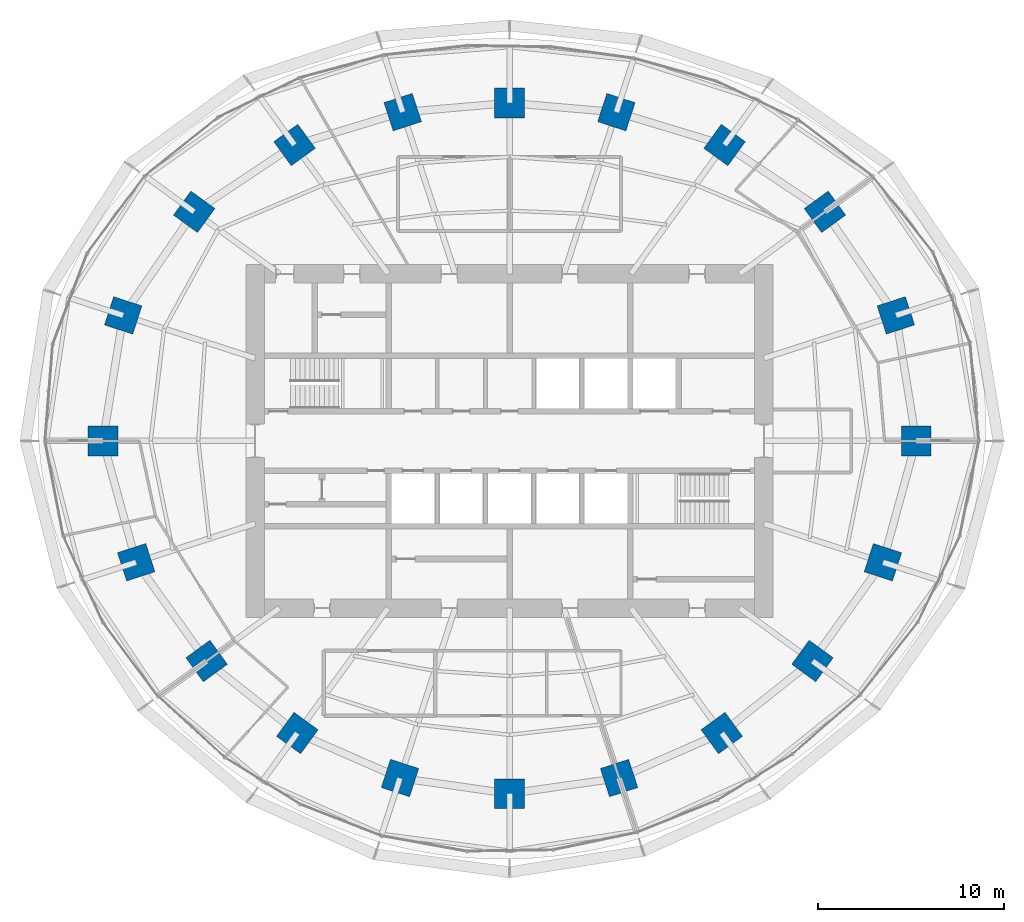
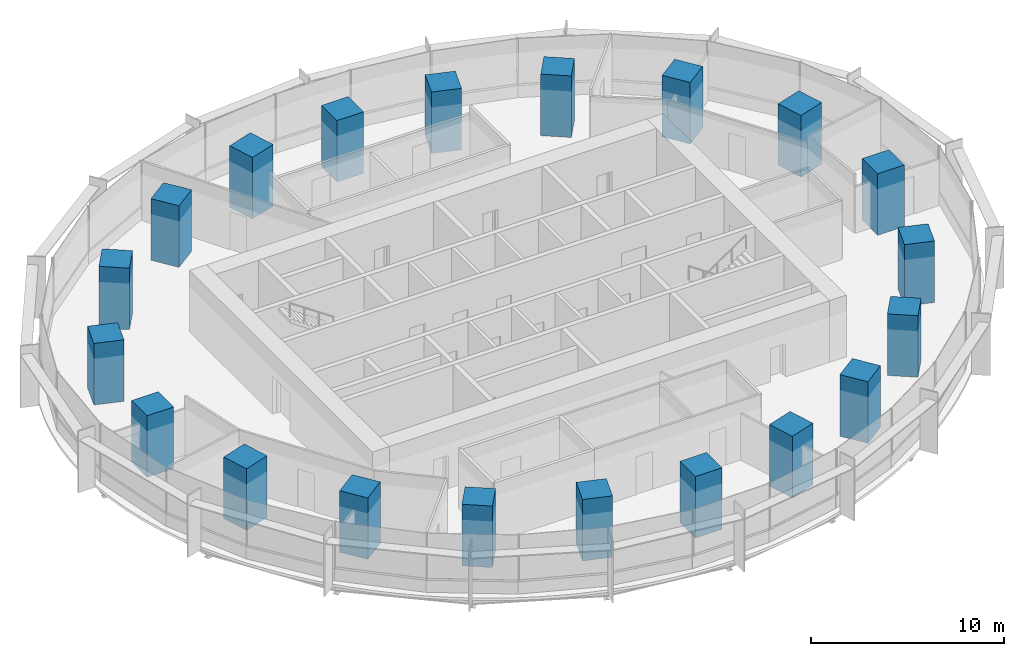
# One storey, part 1 of 14: 20 columns.
"""IFC4 building model written with IfcOpenShell, lengths in metres."""

from ifc_helpers import new_model, si_unit, direction, frame, origin, origin_2d, place, context, subcontext, project, spatial, rectangle, extrude, material, material_profile, profile_set, type_object, element, save


model = new_model("IFC4")

# Units and contexts
model_context = context("Model", 3, precision=1e-05, world=origin(), true_north=direction((0.0, 1.0)))
body_context = subcontext(model_context, "Body", "Model", "MODEL_VIEW")
ifc_project = project(units=[si_unit("LENGTHUNIT", "METRE"), si_unit("AREAUNIT", "SQUARE_METRE"), si_unit("VOLUMEUNIT", "CUBIC_METRE"), si_unit("PLANEANGLEUNIT", "RADIAN"), si_unit("MASSUNIT", "GRAM", prefix="KILO")], contexts=[model_context])

# Site, building, storey
site_placement = place(None, origin())
site = spatial("IfcSite", under=ifc_project, at=site_placement, CompositionType="ELEMENT")
building_placement = place(site_placement, origin())
building = spatial("IfcBuilding", under=site, at=building_placement, Name="Marramba Exchange Tower", CompositionType="ELEMENT")
storey_placement = place(building_placement, frame((0.0, 0.0, 104.10009765625)))
storey = spatial("IfcBuildingStorey", under=building, at=storey_placement, Name="L24", CompositionType="ELEMENT", Elevation=104.10009765625)

# Columns
ifc_material = material(Name="Concrete N50", Category="concrete")
ifc_material_profile = material_profile(ifc_material, rectangle(XDim=1.60009765625, YDim=1.60009765625, at=origin_2d()), Name="RC 1600x1600")
ifc_profile_set = profile_set([ifc_material_profile], Name="Concrete N50")
column_type = type_object("IfcColumnType", Name="Perimeter column RC 1600x1600 N50", PredefinedType="COLUMN", material=ifc_profile_set)
for number, where, z_axis, x_axis, name in (
    (1, (21.89990234375, 0.0, 0.0), (0.0, 0.0, 1.0), (1.0, 0.0, 0.0), "Column TC01 L24"),
    (2, (20.808349609375, 6.760986328125, 0.0), (0.0, 0.0, 1.0), (0.951056516295, 0.309016994375, 0.0), "Column TC02 L24"),
    (3, (16.98583984375, 12.3408203125, 0.0), (0.0, 0.0, 1.0), (0.809016994375, 0.587785252292, 0.0), "Column TC03 L24"),
    (4, (11.581298828125, 15.9404296875, 0.0), (0.0, 0.0, 1.0), (0.587785252292, 0.809016994375, 0.0), "Column TC04 L24"),
    (5, (5.75390625, 17.70849609375, 0.0), (0.0, 0.0, 1.0), (0.309016994375, 0.951056516295, 0.0), "Column TC05 L24"),
    (6, (0.0, 18.2041015625, 0.0), (0.0, 0.0, 1.0), (0.0, 1.0, 0.0), "Column TC06 L24"),
    (7, (-5.75390625, 17.70849609375, 0.0), (0.0, 0.0, 1.0), (-0.309016994375, 0.951056516295, 0.0), "Column TC07 L24"),
    (8, (-11.581298828125, 15.9404296875, 0.0), (0.0, 0.0, 1.0), (-0.587785252292, 0.809016994375, 0.0), "Column TC08 L24"),
    (9, (-16.98583984375, 12.3408203125, 0.0), (0.0, 0.0, 1.0), (-0.809016994375, 0.587785252292, 0.0), "Column TC09 L24"),
    (10, (-20.808349609375, 6.760986328125, 0.0), (0.0, 0.0, 1.0), (-0.951056516295, 0.309016994375, 0.0), "Column TC10 L24"),
    (11, (-21.89990234375, 0.0, 0.0), (0.0, 0.0, 1.0), (-1.0, 0.0, 0.0), "Column TC11 L24"),
    (12, (-20.109375, -6.533935546875, 0.0), (0.0, 0.0, 1.0), (-0.951056516295, -0.309016994375, 0.0), "Column TC12 L24"),
    (13, (-16.3154296875, -11.853759765625, 0.0), (0.0, 0.0, 1.0), (-0.809016994375, -0.587785252292, 0.0), "Column TC13 L24"),
    (14, (-11.430419921875, -15.732666015625, 0.0), (0.0, 0.0, 1.0), (-0.587785252292, -0.809016994375, 0.0), "Column TC14 L24"),
    (15, (-5.899658203125, -18.156982421875, 0.0), (0.0, 0.0, 1.0), (-0.309016994375, -0.951056516295, 0.0), "Column TC15 L24"),
    (16, (0.0, -18.99609375, 0.0), (0.0, 0.0, 1.0), (0.0, -1.0, 0.0), "Column TC16 L24"),
    (17, (5.899658203125, -18.156982421875, 0.0), (0.0, 0.0, 1.0), (0.309016994375, -0.951056516295, 0.0), "Column TC17 L24"),
    (18, (11.430419921875, -15.732666015625, 0.0), (0.0, 0.0, 1.0), (0.587785252292, -0.809016994375, 0.0), "Column TC18 L24"),
    (19, (16.3154296875, -11.853759765625, 0.0), (0.0, 0.0, 1.0), (0.809016994375, -0.587785252292, 0.0), "Column TC19 L24"),
    (20, (20.109375, -6.533935546875, 0.0), (0.0, 0.0, 1.0), (0.951056516295, -0.309016994375, 0.0), "Column TC20 L24"),
):
    element("IfcColumn", number, at=place(storey_placement, frame(where, z_axis=z_axis, x_axis=x_axis)), inside=storey, type_object=column_type, Name=name, PredefinedType="COLUMN", context=body_context, shape_type="SweptSolid", body=[
        extrude(rectangle(XDim=1.60009765625, YDim=1.60009765625, at=origin_2d()), origin(), (0.0, 0.0, 1.0), 3.89990234375),
    ])

save(model, "model.ifc")
